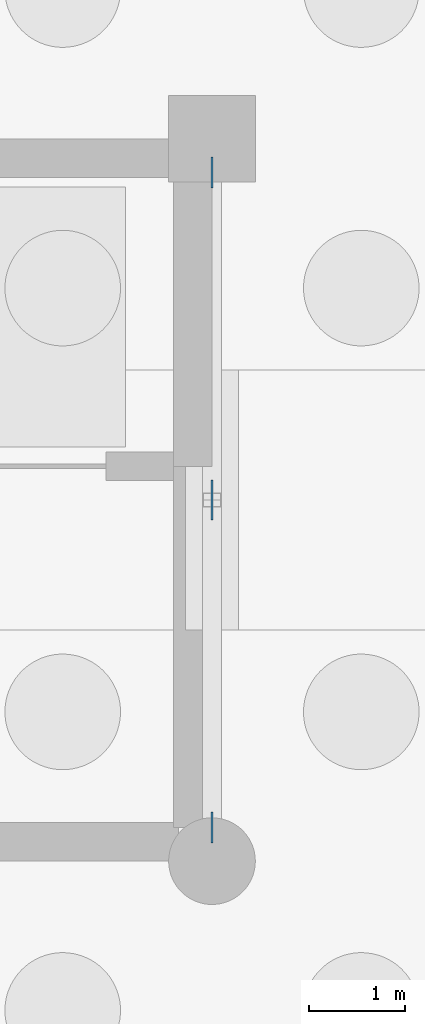
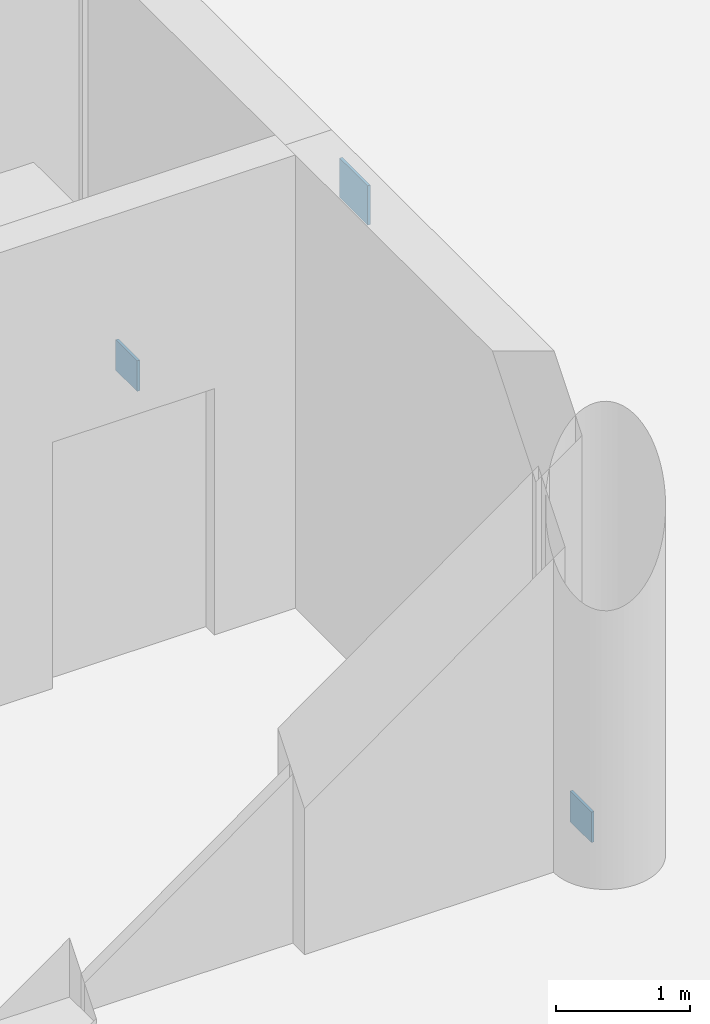
# One storey, part 24 of 42: 3 plates.
"""IFC4 building model written with IfcOpenShell, lengths in metres."""

from ifc_helpers import new_model, si_unit, direction, frame, origin, origin_2d, place, context, subcontext, project, spatial, rectangle, extrude, material, layer, layer_set, type_object, element, save


model = new_model("IFC4")

# Units and contexts
model_context = context("Model", 3, precision=1e-05, world=origin(), true_north=direction((0.0, 1.0)))
body_context = subcontext(model_context, "Body", "Model", "MODEL_VIEW")
ifc_project = project(units=[si_unit("LENGTHUNIT", "METRE"), si_unit("AREAUNIT", "SQUARE_METRE"), si_unit("VOLUMEUNIT", "CUBIC_METRE"), si_unit("PLANEANGLEUNIT", "RADIAN"), si_unit("MASSUNIT", "GRAM", prefix="KILO")], contexts=[model_context])

# Site, building, storey
site_placement = place(None, origin())
site = spatial("IfcSite", under=ifc_project, at=site_placement, CompositionType="ELEMENT")
building_placement = place(site_placement, origin())
building = spatial("IfcBuilding", under=site, at=building_placement, Name="Dalvernix Boulevard General Hospital", CompositionType="ELEMENT")
storey_placement = place(building_placement, frame((0.0, 0.0, -4.5)))
storey = spatial("IfcBuildingStorey", under=building, at=storey_placement, Name="B1", CompositionType="ELEMENT", Elevation=-4.5)

# Plates
ifc_material = material(Name="Steel S355", Category="steel")
ifc_layer = layer(ifc_material, 0.028076171875)
ifc_layer_set = layer_set([ifc_layer], Name="Steel S355 (PLT-NP-03)")
plate_type = type_object("IfcPlateType", Name="PLT-NP-03", PredefinedType="SHEET", material=ifc_layer_set)
plate_placement = place(storey_placement, frame((15.0, 57.75, 3.60986328125), z_axis=(0.0, 0.0, 1.0), x_axis=(0.0, 1.0, 0.0)))
element("IfcPlate", 1, at=plate_placement, inside=storey, type_object=plate_type, Name="B1 brace apex gusset plate 2", PredefinedType="SHEET", context=body_context, shape_type="SweptSolid", body=[
    extrude(rectangle(XDim=0.419921875, YDim=0.02392578125, at=origin_2d()), origin(), (0.0, 0.0, 1.0), 0.360107421875),
])
for number, where, z_axis, x_axis, name in (
    (2, (15.0, 54.35009765625, 0.0), (0.0, 0.0, 1.0), (0.0, 1.0, 0.0), "B1 brace base gusset plate 2S"),
    (3, (15.0, 61.14990234375, 0.0), (0.0, 0.0, 1.0), (0.0, 1.0, 0.0), "B1 brace base gusset plate 2N"),
):
    element("IfcPlate", number, at=place(storey_placement, frame(where, z_axis=z_axis, x_axis=x_axis)), inside=storey, type_object=plate_type, Name=name, PredefinedType="SHEET", context=body_context, shape_type="SweptSolid", body=[
        extrude(rectangle(XDim=0.320068359375, YDim=0.02392578125, at=origin_2d()), origin(), (0.0, 0.0, 1.0), 0.280029296875),
    ])

save(model, "model.ifc")
